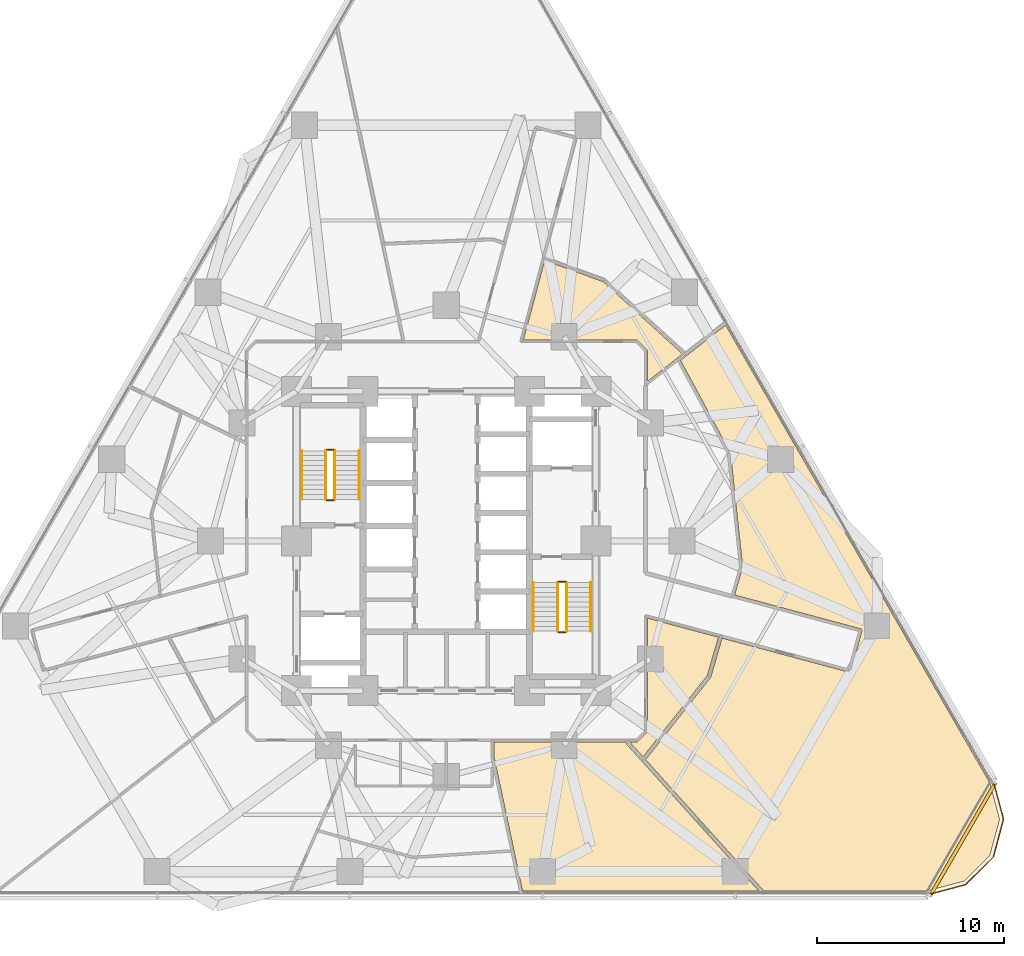
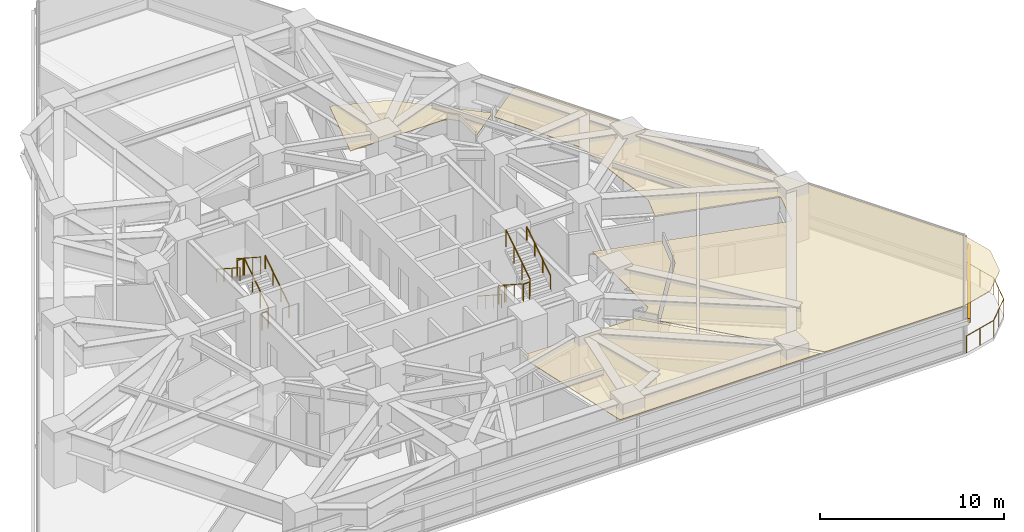
# One storey, part 14 of 15: 13 railings, 4 coverings, 1 shading device.
"""IFC4 building model written with IfcOpenShell, lengths in metres."""

from ifc_helpers import new_model, si_unit, direction, frame, origin, origin_2d, place, context, subcontext, project, spatial, polyline, rectangle, circle, outline, extrude, material, layer, layer_set, type_object, element, save


model = new_model("IFC4")

# Units and contexts
model_context = context("Model", 3, precision=1e-05, world=origin(), true_north=direction((0.0, 1.0)))
body_context = subcontext(model_context, "Body", "Model", "MODEL_VIEW")
ifc_project = project(units=[si_unit("LENGTHUNIT", "METRE"), si_unit("AREAUNIT", "SQUARE_METRE"), si_unit("VOLUMEUNIT", "CUBIC_METRE"), si_unit("PLANEANGLEUNIT", "RADIAN"), si_unit("MASSUNIT", "GRAM", prefix="KILO")], contexts=[model_context])

# Site, building, storey
site_placement = place(None, origin())
site = spatial("IfcSite", under=ifc_project, at=site_placement, CompositionType="ELEMENT")
building_placement = place(site_placement, origin())
building = spatial("IfcBuilding", under=site, at=building_placement, Name="Terralouvre Media Tower", CompositionType="ELEMENT")
storey_placement = place(building_placement, frame((0.0, 0.0, 51.89990234375)))
storey = spatial("IfcBuildingStorey", under=building, at=storey_placement, Name="L12", CompositionType="ELEMENT", Elevation=51.89990234375)

# Coverings
ifc_material_1 = material(Name="Perforated aluminium acoustic ceiling baffle", Category="aluminium")
ifc_layer_1 = layer(ifc_material_1, 0.0400390625, Name="Perforated Acoustic Metal Tile Ceiling CL-AC1")
ifc_layer_set_1 = layer_set([ifc_layer_1], Name="Perforated aluminium acoustic ceiling baffle")
covering_type = type_object("IfcCoveringType", Name="Perforated Acoustic Metal Tile Ceiling CL-AC1", PredefinedType="CEILING", material=ifc_layer_set_1)
covering_1_placement = place(storey_placement, frame((0.0, 0.0, 2.97998046875)))
element("IfcCovering", 1, at=covering_1_placement, inside=storey, type_object=covering_type, Name="L12 Voice Coaching Interview Room 1 Acoustic Ceiling", PredefinedType="CEILING", context=body_context, shape_type="SweptSolid", body=[
    extrude(outline(polyline([(12.6279296875, 9.992919921875), (8.38330078125, 13.85986328125), (5.26025390625, 14.99658203125), (4.122314453125, 10.75), (10.14990234375, 10.75), (10.159912109375, 10.74951171875), (10.16943359375, 10.748046875), (10.178955078125, 10.74560546875), (10.188232421875, 10.742431640625), (10.197021484375, 10.73828125), (10.20556640625, 10.733154296875), (10.21337890625, 10.727294921875), (10.220703125, 10.720703125), (10.720703125, 10.220703125), (10.727294921875, 10.21337890625), (10.733154296875, 10.20556640625), (10.73828125, 10.197021484375), (10.742431640625, 10.188232421875), (10.74560546875, 10.178955078125), (10.748046875, 10.16943359375), (10.74951171875, 10.159912109375), (10.75, 10.14990234375), (10.75, 8.52587890625), (12.329345703125, 9.759765625), (12.6279296875, 9.992919921875)])), origin(), (0.0, 0.0, 1.0), 0.0400390625),
])
covering_2_placement = place(storey_placement, frame((0.0, 0.0, 2.97998046875)))
element("IfcCovering", 2, at=covering_2_placement, inside=storey, type_object=covering_type, Name="L12 Digital Editing Lecture Room 2 Acoustic Ceiling", PredefinedType="CEILING", context=body_context, shape_type="SweptSolid", body=[
    extrude(outline(polyline([(13.955322265625, -7.187255859375), (14.547607421875, -5.14013671875), (10.75, -4.122314453125), (10.75, -10.14990234375), (10.74951171875, -10.159912109375), (10.748046875, -10.16943359375), (10.74560546875, -10.178955078125), (10.742431640625, -10.188232421875), (10.73828125, -10.197021484375), (10.733154296875, -10.20556640625), (10.727294921875, -10.21337890625), (10.720703125, -10.220703125), (10.220703125, -10.720703125), (10.21337890625, -10.727294921875), (10.20556640625, -10.733154296875), (10.197021484375, -10.73828125), (10.188232421875, -10.742431640625), (10.178955078125, -10.74560546875), (10.16943359375, -10.748046875), (10.159912109375, -10.74951171875), (10.14990234375, -10.75), (9.813720703125, -10.75), (10.51708984375, -11.531005859375), (13.955322265625, -7.187255859375)])), origin(), (0.0, 0.0, 1.0), 0.0400390625),
])
covering_3_placement = place(storey_placement, frame((0.0, 0.0, 2.97998046875)))
element("IfcCovering", 3, at=covering_3_placement, inside=storey, type_object=covering_type, Name="L12 Faculty Consultation Office 5 Acoustic Ceiling", PredefinedType="CEILING", context=body_context, shape_type="SweptSolid", body=[
    extrude(outline(polyline([(12.51904296875, 9.654296875), (15.177001953125, 4.732421875), (15.18115234375, 4.723876953125), (15.1845703125, 4.714599609375), (15.18701171875, 4.705322265625), (15.1884765625, 4.69580078125), (15.83935546875, -1.3662109375), (15.840087890625, -1.3759765625), (15.839599609375, -1.3857421875), (15.83837890625, -1.3955078125), (15.836181640625, -1.40478515625), (15.407470703125, -2.8857421875), (22.140869140625, -4.6904296875), (22.150146484375, -4.693359375), (22.1591796875, -4.697265625), (22.167724609375, -4.7021484375), (22.17578125, -4.707763671875), (22.183349609375, -4.714111328125), (22.190185546875, -4.72119140625), (22.1962890625, -4.728759765625), (22.20166015625, -4.737060546875), (22.2060546875, -4.74560546875), (22.209716796875, -4.7548828125), (22.21240234375, -4.764404296875), (22.214111328125, -4.77392578125), (22.21484375, -4.78369140625), (22.21484375, -4.793701171875), (22.213623046875, -4.80322265625), (22.211669921875, -4.81298828125), (21.6416015625, -6.93798828125), (21.638671875, -6.947265625), (21.634765625, -6.956298828125), (21.6298828125, -6.96484375), (21.624267578125, -6.972900390625), (21.617919921875, -6.98046875), (21.61083984375, -6.9873046875), (21.603271484375, -6.993408203125), (21.594970703125, -6.99853515625), (21.586181640625, -7.003173828125), (21.5771484375, -7.006591796875), (21.567626953125, -7.009521484375), (21.55810546875, -7.010986328125), (21.54833984375, -7.011962890625), (21.53857421875, -7.01171875), (21.52880859375, -7.0107421875), (21.51904296875, -7.008544921875), (14.74072265625, -5.19189453125), (14.14208984375, -7.26171875), (14.138916015625, -7.27099609375), (14.135009765625, -7.27978515625), (14.130126953125, -7.2880859375), (14.12451171875, -7.296142578125), (10.65283203125, -11.681884765625), (16.969482421875, -18.697021484375), (25.720703125, -18.697021484375), (27.6611328125, -18.17724609375), (29.060302734375, -16.7783203125), (29.572509765625, -14.866943359375), (29.052734375, -12.926513671875), (14.928955078125, 11.536376953125), (12.844482421875, 9.908203125), (12.51904296875, 9.654296875)])), origin(), (0.0, 0.0, 1.0), 0.0400390625),
])
covering_4_placement = place(storey_placement, frame((0.0, 0.0, 2.97998046875)))
element("IfcCovering", 4, at=covering_4_placement, inside=storey, type_object=covering_type, Name="L12 Journalism Training Classroom 13 Acoustic Ceiling", PredefinedType="CEILING", context=body_context, shape_type="SweptSolid", body=[
    extrude(outline(polyline([(9.54443359375, -10.75), (2.550048828125, -10.75), (2.550048828125, -11.515380859375), (3.617919921875, -16.539306640625), (4.075927734375, -18.697021484375), (16.700439453125, -18.697021484375), (10.44775390625, -11.7529296875), (9.54443359375, -10.75)])), origin(), (0.0, 0.0, 1.0), 0.0400390625),
])

# Railings
ifc_material_2 = material(Name="Stainless steel 316 handrail and balustrade", Category="steel")
ifc_layer_2 = layer(ifc_material_2, 0.06005859375, Name="Roof Edge Safety Guardrail GR-ROOF1")
ifc_layer_set_2 = layer_set([ifc_layer_2], Name="Stainless steel 316 handrail and balustrade")
railing_type_1 = type_object("IfcRailingType", Name="Roof Edge Safety Guardrail GR-ROOF1", PredefinedType="GUARDRAIL", material=ifc_layer_set_2)
railing_1_placement = place(storey_placement, frame((25.73779296875, -18.907958984375, 0.0)))
element("IfcRailing", 5, at=railing_1_placement, inside=storey, type_object=railing_type_1, Name="L12 Wind-Corner Perimeter Safety Guardrail C1", PredefinedType="GUARDRAIL", context=body_context, shape_type="SweptSolid", body=[
    extrude(circle(Radius=0.02099609375, at=origin_2d()), frame((0.0, 0.0, 1.12890625), z_axis=(0.965987029675, 0.258590522836, 0.0), x_axis=(-0.258590522836, 0.965987029675, 0.0)), (0.0, 0.0, 1.0), 2.095947265625),
    extrude(circle(Radius=0.02099609375, at=origin_2d()), frame((2.024658203125, 0.5419921875, 1.12890625), z_axis=(0.707165029613, 0.707048527961, 0.0), x_axis=(-0.707048527961, 0.707165029613, 0.0)), (0.0, 0.0, 1.0), 2.095703125),
    extrude(circle(Radius=0.02099609375, at=origin_2d()), frame((3.506591796875, 2.023681640625, 1.12890625), z_axis=(0.258757438042, 0.965942331745, 0.0), x_axis=(-0.965942331745, 0.258757438042, 0.0)), (0.0, 0.0, 1.0), 2.095458984375),
    extrude(circle(Radius=0.02099609375, at=origin_2d()), frame((4.048828125, 4.0478515625, 1.12890625), z_axis=(-0.259054358605, 0.965862743503, 0.0), x_axis=(-0.965862743503, -0.259054358605, 0.0)), (0.0, 0.0, 1.0), 2.095947265625),
    extrude(circle(Radius=0.01904296875, at=origin_2d()), origin(), (0.0, 0.0, 1.0), 1.10791015625),
    extrude(circle(Radius=0.01904296875, at=origin_2d()), frame((1.01220703125, 0.27099609375, 0.0)), (0.0, 0.0, 1.0), 1.10791015625),
    extrude(circle(Radius=0.01904296875, at=origin_2d()), frame((2.024658203125, 0.5419921875, 0.0)), (0.0, 0.0, 1.0), 1.10791015625),
    extrude(circle(Radius=0.01904296875, at=origin_2d()), frame((2.765625, 1.28271484375, 0.0)), (0.0, 0.0, 1.0), 1.10791015625),
    extrude(circle(Radius=0.01904296875, at=origin_2d()), frame((3.506591796875, 2.023681640625, 0.0)), (0.0, 0.0, 1.0), 1.10791015625),
    extrude(circle(Radius=0.01904296875, at=origin_2d()), frame((3.77783203125, 3.03564453125, 0.0)), (0.0, 0.0, 1.0), 1.10791015625),
    extrude(circle(Radius=0.01904296875, at=origin_2d()), frame((4.048828125, 4.0478515625, 0.0)), (0.0, 0.0, 1.0), 1.10791015625),
    extrude(circle(Radius=0.01904296875, at=origin_2d()), frame((3.77734375, 5.06005859375, 0.0)), (0.0, 0.0, 1.0), 1.10791015625),
    extrude(circle(Radius=0.01904296875, at=origin_2d()), frame((3.505859375, 6.072265625, 0.0)), (0.0, 0.0, 1.0), 1.10791015625),
])
ifc_material_3 = material(Name="Stainless steel 316 handrail and balustrade", Category="steel")
ifc_layer_3 = layer(ifc_material_3, 0.050048828125, Name="Stair Flight Wall Handrail HR-INT1")
ifc_layer_set_3 = layer_set([ifc_layer_3], Name="Stainless steel 316 handrail and balustrade")
railing_type_2 = type_object("IfcRailingType", Name="Stair Flight Wall Handrail HR-INT1", PredefinedType="HANDRAIL", material=ifc_layer_set_3)
railing_2_placement = place(storey_placement, frame((-4.64990234375, 2.219970703125, 0.168212890625)))
element("IfcRailing", 6, at=railing_2_placement, inside=storey, type_object=railing_type_2, Name="L12 ST-01 stair handrail 1", PredefinedType="HANDRAIL", context=body_context, shape_type="SweptSolid", body=[
    extrude(circle(Radius=0.02392578125, at=origin_2d()), frame((0.0, 0.0, 0.8759765625), z_axis=(0.0, 0.839648411786, 0.543130320075), x_axis=(-1.0, 0.0, 0.0)), (0.0, 0.0, 1.0), 3.0966796875),
    extrude(circle(Radius=0.02099609375, at=origin_2d()), origin(), (0.0, 0.0, 1.0), 0.851806640625),
    extrude(circle(Radius=0.02099609375, at=origin_2d()), frame((0.0, 0.86669921875, 0.560546875)), (0.0, 0.0, 1.0), 0.851806640625),
    extrude(circle(Radius=0.02099609375, at=origin_2d()), frame((0.0, 1.7333984375, 1.121337890625)), (0.0, 0.0, 1.0), 0.851806640625),
    extrude(circle(Radius=0.02099609375, at=origin_2d()), frame((0.0, 2.60009765625, 1.681884765625)), (0.0, 0.0, 1.0), 0.851806640625),
])
for number, where, name in (
    (7, (-7.72998046875, 4.820068359375, 2.018310546875), "L12 ST-01 stair handrail 2"),
    (8, (4.64990234375, -2.219970703125, 0.168212890625), "L12 ST-02 stair handrail 1"),
):
    element("IfcRailing", number, at=place(storey_placement, frame(where)), inside=storey, type_object=railing_type_2, Name=name, PredefinedType="HANDRAIL", context=body_context, shape_type="SweptSolid", body=[
        extrude(circle(Radius=0.02392578125, at=origin_2d()), frame((0.0, 0.0, 0.8759765625), z_axis=(0.0, -0.839648411786, 0.543130320075), x_axis=(1.0, 0.0, 0.0)), (0.0, 0.0, 1.0), 3.0966796875),
        extrude(circle(Radius=0.02099609375, at=origin_2d()), origin(), (0.0, 0.0, 1.0), 0.851806640625),
        extrude(circle(Radius=0.02099609375, at=origin_2d()), frame((0.0, -0.86669921875, 0.560546875)), (0.0, 0.0, 1.0), 0.851806640625),
        extrude(circle(Radius=0.02099609375, at=origin_2d()), frame((0.0, -1.7333984375, 1.121337890625)), (0.0, 0.0, 1.0), 0.851806640625),
        extrude(circle(Radius=0.02099609375, at=origin_2d()), frame((0.0, -2.60009765625, 1.681884765625)), (0.0, 0.0, 1.0), 0.851806640625),
    ])
railing_3_placement = place(storey_placement, frame((7.72998046875, -4.820068359375, 2.018310546875)))
element("IfcRailing", 9, at=railing_3_placement, inside=storey, type_object=railing_type_2, Name="L12 ST-02 stair handrail 2", PredefinedType="HANDRAIL", context=body_context, shape_type="SweptSolid", body=[
    extrude(circle(Radius=0.02392578125, at=origin_2d()), frame((0.0, 0.0, 0.8759765625), z_axis=(0.0, 0.839648411786, 0.543130320075), x_axis=(-1.0, 0.0, 0.0)), (0.0, 0.0, 1.0), 3.0966796875),
    extrude(circle(Radius=0.02099609375, at=origin_2d()), origin(), (0.0, 0.0, 1.0), 0.851806640625),
    extrude(circle(Radius=0.02099609375, at=origin_2d()), frame((0.0, 0.86669921875, 0.560546875)), (0.0, 0.0, 1.0), 0.851806640625),
    extrude(circle(Radius=0.02099609375, at=origin_2d()), frame((0.0, 1.7333984375, 1.121337890625)), (0.0, 0.0, 1.0), 0.851806640625),
    extrude(circle(Radius=0.02099609375, at=origin_2d()), frame((0.0, 2.60009765625, 1.681884765625)), (0.0, 0.0, 1.0), 0.851806640625),
])
ifc_material_4 = material(Name="Stainless steel 316 handrail and balustrade", Category="steel")
ifc_layer_4 = layer(ifc_material_4, 0.050048828125, Name="Stairwell Safety Guardrail GR-INT1")
ifc_layer_set_4 = layer_set([ifc_layer_4], Name="Stainless steel 316 handrail and balustrade")
railing_type_3 = type_object("IfcRailingType", Name="Stairwell Safety Guardrail GR-INT1", PredefinedType="GUARDRAIL", material=ifc_layer_set_4)
railing_4_placement = place(storey_placement, frame((-5.949951171875, 2.219970703125, 0.168212890625)))
element("IfcRailing", 10, at=railing_4_placement, inside=storey, type_object=railing_type_3, Name="L12 ST-01 stair guard 1", PredefinedType="GUARDRAIL", context=body_context, shape_type="SweptSolid", body=[
    extrude(circle(Radius=0.02392578125, at=origin_2d()), frame((0.0, 0.0, 1.1259765625), z_axis=(0.0, 0.839648411786, 0.543130320075), x_axis=(-1.0, 0.0, 0.0)), (0.0, 0.0, 1.0), 3.0966796875),
    extrude(circle(Radius=0.02099609375, at=origin_2d()), origin(), (0.0, 0.0, 1.0), 1.101806640625),
    extrude(circle(Radius=0.02099609375, at=origin_2d()), frame((0.0, 0.86669921875, 0.560546875)), (0.0, 0.0, 1.0), 1.101806640625),
    extrude(circle(Radius=0.02099609375, at=origin_2d()), frame((0.0, 1.7333984375, 1.121337890625)), (0.0, 0.0, 1.0), 1.101806640625),
    extrude(circle(Radius=0.02099609375, at=origin_2d()), frame((0.0, 2.60009765625, 1.681884765625)), (0.0, 0.0, 1.0), 1.101806640625),
])
railing_5_placement = place(storey_placement, frame((-6.0, 4.8701171875, 1.85009765625)))
element("IfcRailing", 11, at=railing_5_placement, inside=storey, type_object=railing_type_3, Name="L12 ST-01 stair guard 2", PredefinedType="GUARDRAIL", context=body_context, shape_type="SweptSolid", body=[
    extrude(circle(Radius=0.02392578125, at=origin_2d()), frame((0.0, 0.0, 1.1259765625), z_axis=(-1.0, 0.0, 0.0), x_axis=(0.0, -1.0, 0.0)), (0.0, 0.0, 1.0), 0.3798828125),
    extrude(circle(Radius=0.02099609375, at=origin_2d()), origin(), (0.0, 0.0, 1.0), 1.101806640625),
    extrude(circle(Radius=0.02099609375, at=origin_2d()), frame((-0.3798828125, 0.0, 0.0)), (0.0, 0.0, 1.0), 1.101806640625),
])
railing_6_placement = place(storey_placement, frame((-6.429931640625, 4.820068359375, 2.018310546875)))
element("IfcRailing", 12, at=railing_6_placement, inside=storey, type_object=railing_type_3, Name="L12 ST-01 stair guard 3", PredefinedType="GUARDRAIL", context=body_context, shape_type="SweptSolid", body=[
    extrude(circle(Radius=0.02392578125, at=origin_2d()), frame((0.0, 0.0, 1.1259765625), z_axis=(0.0, -0.839648411786, 0.543130320075), x_axis=(1.0, 0.0, 0.0)), (0.0, 0.0, 1.0), 3.0966796875),
    extrude(circle(Radius=0.02099609375, at=origin_2d()), origin(), (0.0, 0.0, 1.0), 1.101806640625),
    extrude(circle(Radius=0.02099609375, at=origin_2d()), frame((0.0, -0.86669921875, 0.560546875)), (0.0, 0.0, 1.0), 1.101806640625),
    extrude(circle(Radius=0.02099609375, at=origin_2d()), frame((0.0, -1.7333984375, 1.121337890625)), (0.0, 0.0, 1.0), 1.101806640625),
    extrude(circle(Radius=0.02099609375, at=origin_2d()), frame((0.0, -2.60009765625, 1.681884765625)), (0.0, 0.0, 1.0), 1.101806640625),
])
railing_7_placement = place(storey_placement, frame((-6.0, 2.169921875, 0.0)))
element("IfcRailing", 13, at=railing_7_placement, inside=storey, type_object=railing_type_3, Name="L12 ST-01 stair guard 4", PredefinedType="GUARDRAIL", context=body_context, shape_type="SweptSolid", body=[
    extrude(circle(Radius=0.02392578125, at=origin_2d()), frame((0.0, 0.0, 1.1259765625), z_axis=(-1.0, 0.0, 0.0), x_axis=(0.0, -1.0, 0.0)), (0.0, 0.0, 1.0), 0.3798828125),
    extrude(circle(Radius=0.02099609375, at=origin_2d()), origin(), (0.0, 0.0, 1.0), 1.101806640625),
    extrude(circle(Radius=0.02099609375, at=origin_2d()), frame((-0.3798828125, 0.0, 0.0)), (0.0, 0.0, 1.0), 1.101806640625),
])
railing_8_placement = place(storey_placement, frame((5.949951171875, -2.219970703125, 0.168212890625)))
element("IfcRailing", 14, at=railing_8_placement, inside=storey, type_object=railing_type_3, Name="L12 ST-02 stair guard 1", PredefinedType="GUARDRAIL", context=body_context, shape_type="SweptSolid", body=[
    extrude(circle(Radius=0.02392578125, at=origin_2d()), frame((0.0, 0.0, 1.1259765625), z_axis=(0.0, -0.839648411786, 0.543130320075), x_axis=(1.0, 0.0, 0.0)), (0.0, 0.0, 1.0), 3.0966796875),
    extrude(circle(Radius=0.02099609375, at=origin_2d()), origin(), (0.0, 0.0, 1.0), 1.101806640625),
    extrude(circle(Radius=0.02099609375, at=origin_2d()), frame((0.0, -0.86669921875, 0.560546875)), (0.0, 0.0, 1.0), 1.101806640625),
    extrude(circle(Radius=0.02099609375, at=origin_2d()), frame((0.0, -1.7333984375, 1.121337890625)), (0.0, 0.0, 1.0), 1.101806640625),
    extrude(circle(Radius=0.02099609375, at=origin_2d()), frame((0.0, -2.60009765625, 1.681884765625)), (0.0, 0.0, 1.0), 1.101806640625),
])
railing_9_placement = place(storey_placement, frame((6.0, -4.8701171875, 1.85009765625)))
element("IfcRailing", 15, at=railing_9_placement, inside=storey, type_object=railing_type_3, Name="L12 ST-02 stair guard 2", PredefinedType="GUARDRAIL", context=body_context, shape_type="SweptSolid", body=[
    extrude(circle(Radius=0.02392578125, at=origin_2d()), frame((0.0, 0.0, 1.1259765625), z_axis=(1.0, 0.0, 0.0), x_axis=(0.0, 1.0, 0.0)), (0.0, 0.0, 1.0), 0.3798828125),
    extrude(circle(Radius=0.02099609375, at=origin_2d()), origin(), (0.0, 0.0, 1.0), 1.101806640625),
    extrude(circle(Radius=0.02099609375, at=origin_2d()), frame((0.3798828125, 0.0, 0.0)), (0.0, 0.0, 1.0), 1.101806640625),
])
railing_10_placement = place(storey_placement, frame((6.429931640625, -4.820068359375, 2.018310546875)))
element("IfcRailing", 16, at=railing_10_placement, inside=storey, type_object=railing_type_3, Name="L12 ST-02 stair guard 3", PredefinedType="GUARDRAIL", context=body_context, shape_type="SweptSolid", body=[
    extrude(circle(Radius=0.02392578125, at=origin_2d()), frame((0.0, 0.0, 1.1259765625), z_axis=(0.0, 0.839648411786, 0.543130320075), x_axis=(-1.0, 0.0, 0.0)), (0.0, 0.0, 1.0), 3.0966796875),
    extrude(circle(Radius=0.02099609375, at=origin_2d()), origin(), (0.0, 0.0, 1.0), 1.101806640625),
    extrude(circle(Radius=0.02099609375, at=origin_2d()), frame((0.0, 0.86669921875, 0.560546875)), (0.0, 0.0, 1.0), 1.101806640625),
    extrude(circle(Radius=0.02099609375, at=origin_2d()), frame((0.0, 1.7333984375, 1.121337890625)), (0.0, 0.0, 1.0), 1.101806640625),
    extrude(circle(Radius=0.02099609375, at=origin_2d()), frame((0.0, 2.60009765625, 1.681884765625)), (0.0, 0.0, 1.0), 1.101806640625),
])
railing_11_placement = place(storey_placement, frame((6.0, -2.169921875, 0.0)))
element("IfcRailing", 17, at=railing_11_placement, inside=storey, type_object=railing_type_3, Name="L12 ST-02 stair guard 4", PredefinedType="GUARDRAIL", context=body_context, shape_type="SweptSolid", body=[
    extrude(circle(Radius=0.02392578125, at=origin_2d()), frame((0.0, 0.0, 1.1259765625), z_axis=(1.0, 0.0, 0.0), x_axis=(0.0, 1.0, 0.0)), (0.0, 0.0, 1.0), 0.3798828125),
    extrude(circle(Radius=0.02099609375, at=origin_2d()), origin(), (0.0, 0.0, 1.0), 1.101806640625),
    extrude(circle(Radius=0.02099609375, at=origin_2d()), frame((0.3798828125, 0.0, 0.0)), (0.0, 0.0, 1.0), 1.101806640625),
])

# Shading device
ifc_material_5 = material(Name="Extruded terracotta baguette sunshade louvres", Category="masonry")
shading_device_type = type_object("IfcShadingDeviceType", Name="Terracotta Baguette Sunshade Louvre Screen TB-LV1", PredefinedType="USERDEFINED", material=ifc_material_5)
shading_device_placement = place(storey_placement, frame((27.607666015625, -15.939208984375, 2.02392578125), z_axis=(0.0, 0.0, 1.0), x_axis=(0.499999691503, 0.866025581895, 0.0)))
element("IfcShadingDevice", 18, at=shading_device_placement, inside=storey, type_object=shading_device_type, Name="CW-L12-C1 Terracotta Baguette Sunshade Louvre", ObjectType="BAGUETTE", PredefinedType="USERDEFINED", context=body_context, shape_type="SweptSolid", body=[
    extrude(rectangle(XDim=7.014892578125, YDim=0.179931640625, at=origin_2d()), origin(), (0.0, 0.0, 1.0), 0.280029296875),
])

save(model, "model.ifc")
